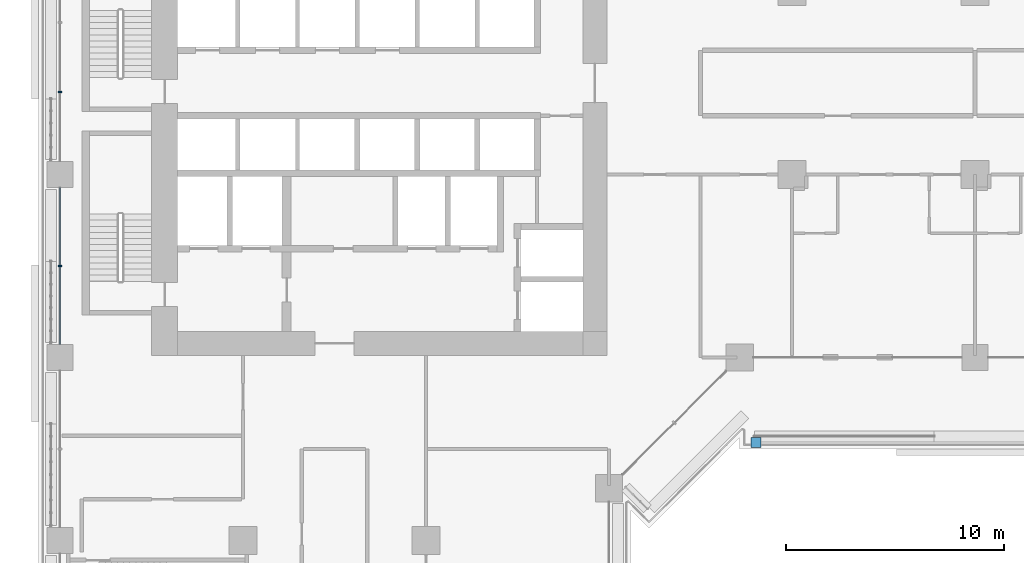
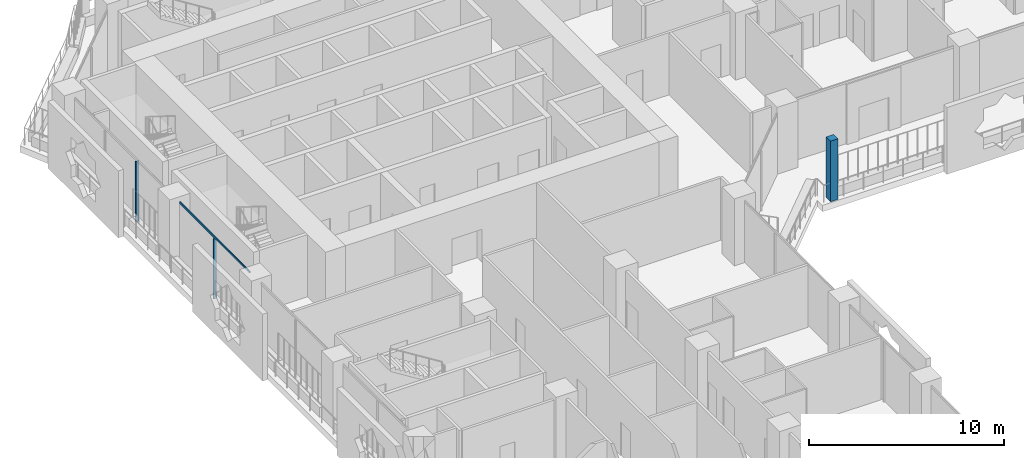
# One storey, part 5 of 29: 4 members, 2 elements without a shape of their own.
"""IFC4 building model written with IfcOpenShell, lengths in metres."""

from ifc_helpers import new_model, si_unit, direction, frame, origin, origin_2d, place, context, subcontext, project, spatial, rectangle, extrude, material, layer, layer_set, material_profile, profile_set, type_object, element, aggregate, save


model = new_model("IFC4")

# Units and contexts
model_context = context("Model", 3, precision=1e-05, world=origin(), true_north=direction((0.0, 1.0)))
body_context = subcontext(model_context, "Body", "Model", "MODEL_VIEW")
ifc_project = project(units=[si_unit("LENGTHUNIT", "METRE"), si_unit("AREAUNIT", "SQUARE_METRE"), si_unit("VOLUMEUNIT", "CUBIC_METRE"), si_unit("PLANEANGLEUNIT", "RADIAN"), si_unit("MASSUNIT", "GRAM", prefix="KILO")], contexts=[model_context])

# Site, building, storey
site_placement = place(None, origin())
site = spatial("IfcSite", under=ifc_project, at=site_placement, CompositionType="ELEMENT")
building_placement = place(site_placement, origin())
building = spatial("IfcBuilding", under=site, at=building_placement, Name="Kawkab Arch Medical Tower", CompositionType="ELEMENT")
storey_placement = place(building_placement, frame((0.0, 0.0, 60.199951171875)))
storey = spatial("IfcBuildingStorey", under=building, at=storey_placement, Name="L13", CompositionType="ELEMENT", Elevation=60.199951171875)

# Curtain wall, members
ifc_material_1 = material(Name="Bronze anodised aluminium curtain wall frame", Category="aluminium")
ifc_layer_1 = layer(ifc_material_1, 0.159912109375)
ifc_layer_set_1 = layer_set([ifc_layer_1], Name="Bronze anodised aluminium curtain wall frame")
curtain_wall_type_1 = type_object("IfcCurtainWallType", Name="CW1 ward curtain wall", PredefinedType="NOTDEFINED", material=ifc_layer_set_1)
placement = place(storey_placement, origin())
curtain_wall_1 = element("IfcCurtainWall", 1, at=placement, inside=storey, type_object=curtain_wall_type_1, Name="CW1 Ward curtain wall R01", PredefinedType="NOTDEFINED")
ifc_material_2 = material(Name="Bronze anodised aluminium curtain wall frame", Category="aluminium")
ifc_material_profile_1 = material_profile(ifc_material_2, rectangle(XDim=0.179931640625, YDim=0.06005859375, at=origin_2d()), Name="AL 60x180")
ifc_profile_set_1 = profile_set([ifc_material_profile_1], Name="Bronze anodised aluminium curtain wall frame")
member_type_1 = type_object("IfcMemberType", Name="CW1 mullion 60 x 180", PredefinedType="MULLION", material=ifc_profile_set_1)
member_1_placement = place(storey_placement, frame((0.0, -13.00830078125, 0.0), z_axis=(0.0, 0.0, 1.0), x_axis=(1.0, 0.0, 0.0)))
member_1 = element("IfcMember", 2, at=member_1_placement, type_object=member_type_1, Name="CW1 mullion 1.2", PredefinedType="MULLION", context=body_context, shape_type="SweptSolid", body=[
    extrude(rectangle(XDim=0.179931640625, YDim=0.06005859375, at=origin_2d()), origin(), (0.0, 0.0, 1.0), 3.780029296875),
])
member_2_placement = place(storey_placement, frame((0.0, -21.0, 0.0), z_axis=(0.0, 0.0, 1.0), x_axis=(1.0, 0.0, 0.0)))
member_2 = element("IfcMember", 3, at=member_2_placement, type_object=member_type_1, Name="CW1 mullion 2.1", PredefinedType="MULLION", context=body_context, shape_type="SweptSolid", body=[
    extrude(rectangle(XDim=0.179931640625, YDim=0.06005859375, at=origin_2d()), origin(), (0.0, 0.0, 1.0), 3.780029296875),
])
ifc_material_3 = material(Name="Bronze anodised aluminium curtain wall frame", Category="aluminium")
ifc_material_profile_2 = material_profile(ifc_material_3, rectangle(XDim=0.06005859375, YDim=0.1201171875, at=origin_2d()), Name="AL 60x120")
ifc_profile_set_2 = profile_set([ifc_material_profile_2], Name="Bronze anodised aluminium curtain wall frame")
member_type_2 = type_object("IfcMemberType", Name="CW1 transom 120 x 60", PredefinedType="USERDEFINED", material=ifc_profile_set_2)
member_3_placement = place(storey_placement, frame((0.0, -17.39990234375, 3.840087890625), z_axis=(0.0, -1.0, 0.0), x_axis=(1.0, 0.0, 0.0)))
member_3 = element("IfcMember", 4, at=member_3_placement, type_object=member_type_2, Name="CW1 transom 2", ObjectType="TRANSOM", PredefinedType="USERDEFINED", context=body_context, shape_type="SweptSolid", body=[
    extrude(rectangle(XDim=0.06005859375, YDim=0.1201171875, at=origin_2d()), origin(), (0.0, 0.0, 1.0), 7.2001953125),
])
aggregate(curtain_wall_1, [member_1, member_3, member_2])

# Curtain wall, member
ifc_material_4 = material(Name="Bronze anodised aluminium climber frame, planted", Category="aluminium")
ifc_layer_2 = layer(ifc_material_4, 0.449951171875)
ifc_layer_set_2 = layer_set([ifc_layer_2], Name="Bronze anodised aluminium climber frame, planted")
curtain_wall_type_2 = type_object("IfcCurtainWallType", Name="Planted climber frame", PredefinedType="NOTDEFINED", material=ifc_layer_set_2)
curtain_wall_2 = element("IfcCurtainWall", 5, at=placement, inside=storey, type_object=curtain_wall_type_2, Name="Planted climber frame L13", PredefinedType="NOTDEFINED")
ifc_material_5 = material(Name="Bronze anodised aluminium climber frame, planted", Category="aluminium")
ifc_material_profile_3 = material_profile(ifc_material_5, rectangle(XDim=0.449951171875, YDim=0.449951171875, at=origin_2d()), Name="Post 450x450")
ifc_profile_set_3 = profile_set([ifc_material_profile_3], Name="Bronze anodised aluminium climber frame, planted")
member_type_3 = type_object("IfcMemberType", Name="Planted climber post 450 x 450", PredefinedType="MULLION", material=ifc_profile_set_3)
member_4_placement = place(storey_placement, frame((31.949951171875, -29.10009765625, 0.0), z_axis=(0.0, 0.0, 1.0), x_axis=(1.0, 0.0, 0.0)))
member_4 = element("IfcMember", 6, at=member_4_placement, type_object=member_type_3, Name="Planted climber post L13.LOG-01-01.6", PredefinedType="MULLION", context=body_context, shape_type="SweptSolid", body=[
    extrude(rectangle(XDim=0.449951171875, YDim=0.449951171875, at=origin_2d()), origin(), (0.0, 0.0, 1.0), 3.800048828125),
])
aggregate(curtain_wall_2, [member_4])

save(model, "model.ifc")
